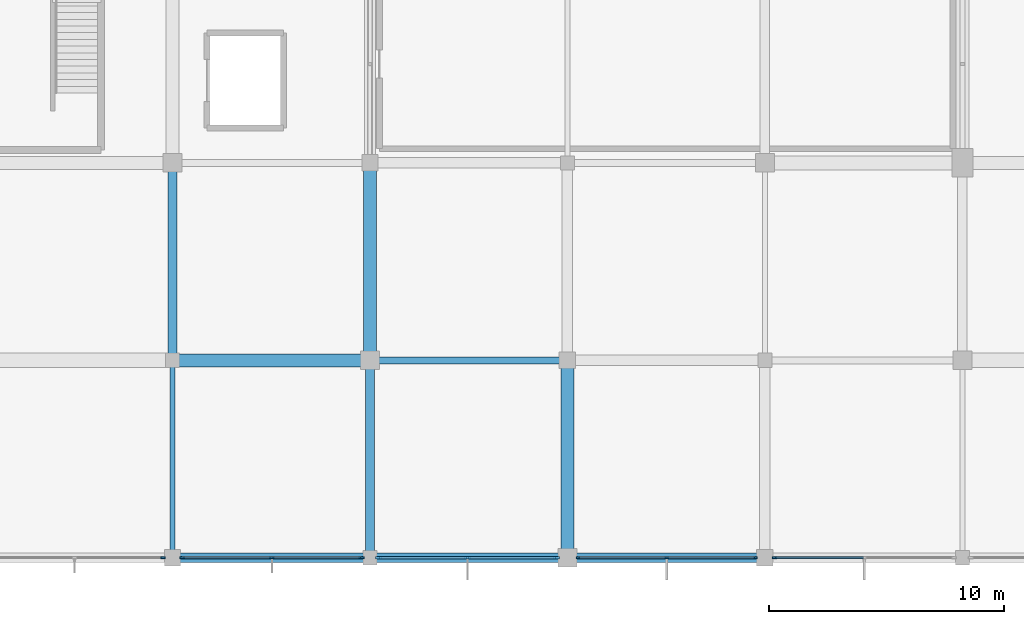
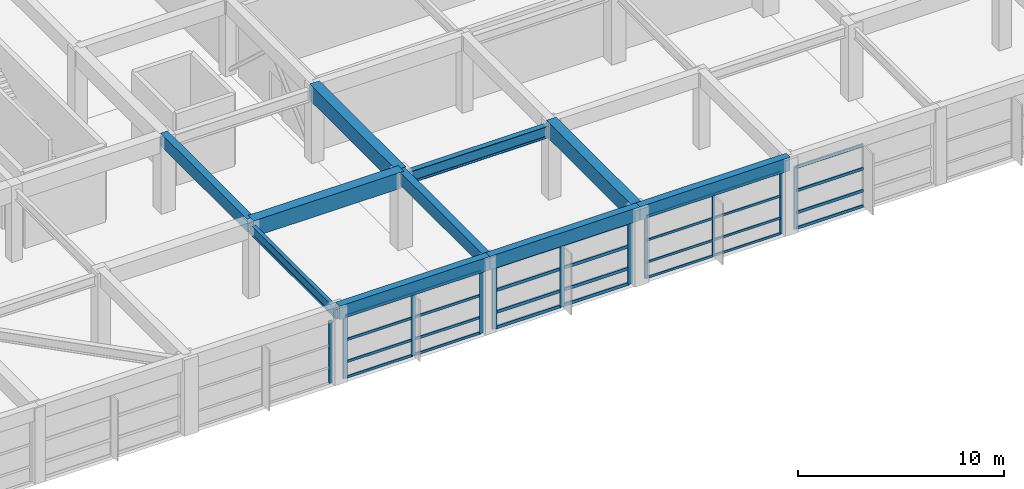
# One storey, part 13 of 62: 39 members, 10 beams, 5 elements without a shape of their own.
"""IFC4 building model written with IfcOpenShell, lengths in metres."""

from ifc_helpers import new_model, si_unit, direction, frame, origin, origin_2d, place, context, subcontext, project, spatial, rectangle, i_section, extrude, material, material_profile, profile_set, type_object, element, aggregate, save


model = new_model("IFC4")

# Units and contexts
model_context = context("Model", 3, precision=1e-05, world=origin(), true_north=direction((0.0, 1.0)))
body_context = subcontext(model_context, "Body", "Model", "MODEL_VIEW")
ifc_project = project(units=[si_unit("LENGTHUNIT", "METRE"), si_unit("AREAUNIT", "SQUARE_METRE"), si_unit("VOLUMEUNIT", "CUBIC_METRE"), si_unit("PLANEANGLEUNIT", "RADIAN"), si_unit("MASSUNIT", "GRAM", prefix="KILO")], contexts=[model_context])

# Site, building, storey
site_placement = place(None, origin())
site = spatial("IfcSite", under=ifc_project, at=site_placement, CompositionType="ELEMENT")
building_placement = place(site_placement, origin())
building = spatial("IfcBuilding", under=site, at=building_placement, Name="Xuanlan Plaza Opera House", CompositionType="ELEMENT")
storey_placement = place(building_placement, frame((0.0, 0.0, 14.39990234375)))
storey = spatial("IfcBuildingStorey", under=building, at=storey_placement, Name="L03", CompositionType="ELEMENT", Elevation=14.39990234375)

# Curtain wall, members
ifc_material_1 = material(Name="Anodised Aluminium 6063-T6 and Low-E Glass", Category="aluminium")
curtain_wall_type_1 = type_object("IfcCurtainWallType", Name="ENV-CW-CW-03", PredefinedType="USERDEFINED", material=ifc_material_1)
curtain_wall_1_placement = place(storey_placement, origin())
curtain_wall_1 = element("IfcCurtainWall", 1, at=curtain_wall_1_placement, inside=storey, type_object=curtain_wall_type_1, Name="Unitised Curtain Wall L03-006", ObjectType="UNITISED CURTAIN WALL", PredefinedType="USERDEFINED")
ifc_material_2 = material(Name="Anodised Aluminium 6063-T6", Category="aluminium")
ifc_material_profile_1 = material_profile(ifc_material_2, rectangle(XDim=0.06494140625, YDim=0.159912109375, at=origin_2d()), Name="ALU-M 65x160")
ifc_profile_set_1 = profile_set([ifc_material_profile_1], Name="Anodised Aluminium 6063-T6")
member_type_1 = type_object("IfcMemberType", Name="ENV-CWM-01", PredefinedType="MULLION", material=ifc_profile_set_1)
member_1_placement = place(storey_placement, frame((50.8525390625, 16.800048828125, 0.0), z_axis=(0.0, 0.0, 1.0), x_axis=(0.0, 1.0, 0.0)))
member_1 = element("IfcMember", 2, at=member_1_placement, type_object=member_type_1, Name="CW-03 mullion 1", PredefinedType="MULLION", context=body_context, shape_type="SweptSolid", body=[
    extrude(rectangle(XDim=0.06494140625, YDim=0.159912109375, at=origin_2d()), origin(), (0.0, 0.0, 1.0), 3.68017578125),
])
member_2_placement = place(storey_placement, frame((54.625, 16.800048828125, 0.0), z_axis=(0.0, 0.0, 1.0), x_axis=(0.0, 1.0, 0.0)))
member_2 = element("IfcMember", 3, at=member_2_placement, type_object=member_type_1, Name="CW-03 mullion 2", PredefinedType="MULLION", context=body_context, shape_type="SweptSolid", body=[
    extrude(rectangle(XDim=0.06494140625, YDim=0.159912109375, at=origin_2d()), origin(), (0.0, 0.0, 1.0), 3.68017578125),
])
member_3_placement = place(storey_placement, frame((58.3974609375, 16.800048828125, 0.0), z_axis=(0.0, 0.0, 1.0), x_axis=(0.0, 1.0, 0.0)))
member_3 = element("IfcMember", 4, at=member_3_placement, type_object=member_type_1, Name="CW-03 mullion 3", PredefinedType="MULLION", context=body_context, shape_type="SweptSolid", body=[
    extrude(rectangle(XDim=0.06494140625, YDim=0.159912109375, at=origin_2d()), origin(), (0.0, 0.0, 1.0), 3.68017578125),
])

# Curtain wall, member
curtain_wall_type_2 = type_object("IfcCurtainWallType", Name="ENV-CW-CW-06", PredefinedType="USERDEFINED", material=ifc_material_1)
curtain_wall_2_placement = place(storey_placement, origin())
curtain_wall_2 = element("IfcCurtainWall", 5, at=curtain_wall_2_placement, inside=storey, type_object=curtain_wall_type_2, Name="Acoustic Glazed Wall L03-007", ObjectType="ACOUSTIC GLAZED WALL", PredefinedType="USERDEFINED")
ifc_material_profile_2 = material_profile(ifc_material_2, rectangle(XDim=0.070068359375, YDim=0.179931640625, at=origin_2d()), Name="ALU-M 70x180")
ifc_profile_set_2 = profile_set([ifc_material_profile_2], Name="Anodised Aluminium 6063-T6")
member_type_2 = type_object("IfcMemberType", Name="ENV-CWM-02", PredefinedType="MULLION", material=ifc_profile_set_2)
member_4_placement = place(storey_placement, frame((59.205078125, 16.800048828125, 0.0), z_axis=(0.0, 0.0, 1.0), x_axis=(0.0, 1.0, 0.0)))
member_4 = element("IfcMember", 6, at=member_4_placement, type_object=member_type_2, Name="CW-06 mullion 1", PredefinedType="MULLION", context=body_context, shape_type="SweptSolid", body=[
    extrude(rectangle(XDim=0.070068359375, YDim=0.179931640625, at=origin_2d()), origin(), (0.0, 0.0, 1.0), 3.68017578125),
])

curtain_wall_type_3 = type_object("IfcCurtainWallType", Name="ENV-CW-CW-04", PredefinedType="USERDEFINED", material=ifc_material_1)
curtain_wall_3_placement = place(storey_placement, origin())
curtain_wall_3 = element("IfcCurtainWall", 7, at=curtain_wall_3_placement, inside=storey, type_object=curtain_wall_type_3, Name="Unitised Curtain Wall L03-003", ObjectType="UNITISED CURTAIN WALL", PredefinedType="USERDEFINED")
ifc_material_profile_3 = material_profile(ifc_material_2, rectangle(XDim=0.074951171875, YDim=0.199951171875, at=origin_2d()), Name="ALU-M 75x200")
ifc_profile_set_3 = profile_set([ifc_material_profile_3], Name="Anodised Aluminium 6063-T6")
member_type_3 = type_object("IfcMemberType", Name="ENV-CWM-03", PredefinedType="MULLION", material=ifc_profile_set_3)
member_5_placement = place(storey_placement, frame((33.1923828125, 16.800048828125, 0.0), z_axis=(0.0, 0.0, 1.0), x_axis=(0.0, 1.0, 0.0)))
member_5 = element("IfcMember", 8, at=member_5_placement, type_object=member_type_3, Name="CW-04 mullion 3", PredefinedType="MULLION", context=body_context, shape_type="SweptSolid", body=[
    extrude(rectangle(XDim=0.074951171875, YDim=0.199951171875, at=origin_2d()), origin(), (0.0, 0.0, 1.0), 3.68017578125),
])
aggregate(curtain_wall_3, [member_5])

# Curtain wall, members
curtain_wall_type_4 = type_object("IfcCurtainWallType", Name="ENV-CW-CW-01", PredefinedType="USERDEFINED", material=ifc_material_1)
curtain_wall_4_placement = place(storey_placement, origin())
curtain_wall_4 = element("IfcCurtainWall", 9, at=curtain_wall_4_placement, inside=storey, type_object=curtain_wall_type_4, Name="Unitised Curtain Wall L03-004", ObjectType="UNITISED CURTAIN WALL", PredefinedType="USERDEFINED")
ifc_material_profile_4 = material_profile(ifc_material_2, rectangle(XDim=0.080078125, YDim=0.219970703125, at=origin_2d()), Name="ALU-M 80x220")
ifc_profile_set_4 = profile_set([ifc_material_profile_4], Name="Anodised Aluminium 6063-T6")
member_type_4 = type_object("IfcMemberType", Name="ENV-CWM-04", PredefinedType="MULLION", material=ifc_profile_set_4)
member_6_placement = place(storey_placement, frame((34.010009765625, 16.800048828125, 0.0), z_axis=(0.0, 0.0, 1.0), x_axis=(0.0, 1.0, 0.0)))
member_6 = element("IfcMember", 10, at=member_6_placement, type_object=member_type_4, Name="CW-01 mullion 1", PredefinedType="MULLION", context=body_context, shape_type="SweptSolid", body=[
    extrude(rectangle(XDim=0.080078125, YDim=0.219970703125, at=origin_2d()), origin(), (0.0, 0.0, 1.0), 3.68017578125),
])
member_7_placement = place(storey_placement, frame((37.824951171875, 16.800048828125, 0.0), z_axis=(0.0, 0.0, 1.0), x_axis=(0.0, 1.0, 0.0)))
member_7 = element("IfcMember", 11, at=member_7_placement, type_object=member_type_4, Name="CW-01 mullion 2", PredefinedType="MULLION", context=body_context, shape_type="SweptSolid", body=[
    extrude(rectangle(XDim=0.080078125, YDim=0.219970703125, at=origin_2d()), origin(), (0.0, 0.0, 1.0), 3.68017578125),
])
member_8_placement = place(storey_placement, frame((41.639892578125, 16.800048828125, 0.0), z_axis=(0.0, 0.0, 1.0), x_axis=(0.0, 1.0, 0.0)))
member_8 = element("IfcMember", 12, at=member_8_placement, type_object=member_type_4, Name="CW-01 mullion 3", PredefinedType="MULLION", context=body_context, shape_type="SweptSolid", body=[
    extrude(rectangle(XDim=0.080078125, YDim=0.219970703125, at=origin_2d()), origin(), (0.0, 0.0, 1.0), 3.68017578125),
])

curtain_wall_type_5 = type_object("IfcCurtainWallType", Name="ENV-CW-CW-02", PredefinedType="USERDEFINED", material=ifc_material_1)
curtain_wall_5_placement = place(storey_placement, origin())
curtain_wall_5 = element("IfcCurtainWall", 13, at=curtain_wall_5_placement, inside=storey, type_object=curtain_wall_type_5, Name="Unitised Curtain Wall L03-005", ObjectType="UNITISED CURTAIN WALL", PredefinedType="USERDEFINED")
ifc_material_profile_5 = material_profile(ifc_material_2, rectangle(XDim=0.090087890625, YDim=0.25, at=origin_2d()), Name="ALU-M 90x250")
ifc_profile_set_5 = profile_set([ifc_material_profile_5], Name="Anodised Aluminium 6063-T6")
member_type_5 = type_object("IfcMemberType", Name="ENV-CWM-05", PredefinedType="MULLION", material=ifc_profile_set_5)
member_9_placement = place(storey_placement, frame((42.364990234375, 16.800048828125, 0.0), z_axis=(0.0, 0.0, 1.0), x_axis=(0.0, 1.0, 0.0)))
member_9 = element("IfcMember", 14, at=member_9_placement, type_object=member_type_5, Name="CW-02 mullion 1", PredefinedType="MULLION", context=body_context, shape_type="SweptSolid", body=[
    extrude(rectangle(XDim=0.090087890625, YDim=0.25, at=origin_2d()), origin(), (0.0, 0.0, 1.0), 3.68017578125),
])
member_10_placement = place(storey_placement, frame((46.14990234375, 16.800048828125, 0.0), z_axis=(0.0, 0.0, 1.0), x_axis=(0.0, 1.0, 0.0)))
member_10 = element("IfcMember", 15, at=member_10_placement, type_object=member_type_5, Name="CW-02 mullion 2", PredefinedType="MULLION", context=body_context, shape_type="SweptSolid", body=[
    extrude(rectangle(XDim=0.090087890625, YDim=0.25, at=origin_2d()), origin(), (0.0, 0.0, 1.0), 3.68017578125),
])
member_11_placement = place(storey_placement, frame((49.93505859375, 16.800048828125, 0.0), z_axis=(0.0, 0.0, 1.0), x_axis=(0.0, 1.0, 0.0)))
member_11 = element("IfcMember", 16, at=member_11_placement, type_object=member_type_5, Name="CW-02 mullion 3", PredefinedType="MULLION", context=body_context, shape_type="SweptSolid", body=[
    extrude(rectangle(XDim=0.090087890625, YDim=0.25, at=origin_2d()), origin(), (0.0, 0.0, 1.0), 3.68017578125),
])

# Member
ifc_material_profile_6 = material_profile(ifc_material_2, rectangle(XDim=0.070068359375, YDim=0.135009765625, at=origin_2d()), Name="ALU-T 70x135")
ifc_profile_set_6 = profile_set([ifc_material_profile_6], Name="Anodised Aluminium 6063-T6")
member_type_6 = type_object("IfcMemberType", Name="ENV-CWT-02", PredefinedType="USERDEFINED", material=ifc_profile_set_6)
member_12_placement = place(storey_placement, frame((50.885009765625, 16.800048828125, 0.03515625), z_axis=(1.0, 0.0, 0.0), x_axis=(0.0, 1.0, 0.0)))
member_12 = element("IfcMember", 17, at=member_12_placement, type_object=member_type_6, Name="CW-03 transom 1.1", ObjectType="TRANSOM", PredefinedType="USERDEFINED", context=body_context, shape_type="SweptSolid", body=[
    extrude(rectangle(XDim=0.070068359375, YDim=0.135009765625, at=origin_2d()), origin(), (0.0, 0.0, 1.0), 3.70751953125),
])

member_13_placement = place(storey_placement, frame((50.885009765625, 16.800048828125, 0.9501953125), z_axis=(1.0, 0.0, 0.0), x_axis=(0.0, 1.0, 0.0)))
member_13 = element("IfcMember", 18, at=member_13_placement, type_object=member_type_6, Name="CW-03 transom 1.2", ObjectType="TRANSOM", PredefinedType="USERDEFINED", context=body_context, shape_type="SweptSolid", body=[
    extrude(rectangle(XDim=0.070068359375, YDim=0.135009765625, at=origin_2d()), origin(), (0.0, 0.0, 1.0), 3.70751953125),
])

member_14_placement = place(storey_placement, frame((50.885009765625, 16.800048828125, 2.25), z_axis=(1.0, 0.0, 0.0), x_axis=(0.0, 1.0, 0.0)))
member_14 = element("IfcMember", 19, at=member_14_placement, type_object=member_type_6, Name="CW-03 transom 1.3", ObjectType="TRANSOM", PredefinedType="USERDEFINED", context=body_context, shape_type="SweptSolid", body=[
    extrude(rectangle(XDim=0.070068359375, YDim=0.135009765625, at=origin_2d()), origin(), (0.0, 0.0, 1.0), 3.70751953125),
])

member_15_placement = place(storey_placement, frame((50.885009765625, 16.800048828125, 3.64501953125), z_axis=(1.0, 0.0, 0.0), x_axis=(0.0, 1.0, 0.0)))
member_15 = element("IfcMember", 20, at=member_15_placement, type_object=member_type_6, Name="CW-03 transom 1.4", ObjectType="TRANSOM", PredefinedType="USERDEFINED", context=body_context, shape_type="SweptSolid", body=[
    extrude(rectangle(XDim=0.070068359375, YDim=0.135009765625, at=origin_2d()), origin(), (0.0, 0.0, 1.0), 3.70751953125),
])

member_16_placement = place(storey_placement, frame((54.657470703125, 16.800048828125, 0.03515625), z_axis=(1.0, 0.0, 0.0), x_axis=(0.0, 1.0, 0.0)))
member_16 = element("IfcMember", 21, at=member_16_placement, type_object=member_type_6, Name="CW-03 transom 2.1", ObjectType="TRANSOM", PredefinedType="USERDEFINED", context=body_context, shape_type="SweptSolid", body=[
    extrude(rectangle(XDim=0.070068359375, YDim=0.135009765625, at=origin_2d()), origin(), (0.0, 0.0, 1.0), 3.70751953125),
])

member_17_placement = place(storey_placement, frame((54.657470703125, 16.800048828125, 0.9501953125), z_axis=(1.0, 0.0, 0.0), x_axis=(0.0, 1.0, 0.0)))
member_17 = element("IfcMember", 22, at=member_17_placement, type_object=member_type_6, Name="CW-03 transom 2.2", ObjectType="TRANSOM", PredefinedType="USERDEFINED", context=body_context, shape_type="SweptSolid", body=[
    extrude(rectangle(XDim=0.070068359375, YDim=0.135009765625, at=origin_2d()), origin(), (0.0, 0.0, 1.0), 3.70751953125),
])

member_18_placement = place(storey_placement, frame((54.657470703125, 16.800048828125, 2.25), z_axis=(1.0, 0.0, 0.0), x_axis=(0.0, 1.0, 0.0)))
member_18 = element("IfcMember", 23, at=member_18_placement, type_object=member_type_6, Name="CW-03 transom 2.3", ObjectType="TRANSOM", PredefinedType="USERDEFINED", context=body_context, shape_type="SweptSolid", body=[
    extrude(rectangle(XDim=0.070068359375, YDim=0.135009765625, at=origin_2d()), origin(), (0.0, 0.0, 1.0), 3.70751953125),
])

member_19_placement = place(storey_placement, frame((54.657470703125, 16.800048828125, 3.64501953125), z_axis=(1.0, 0.0, 0.0), x_axis=(0.0, 1.0, 0.0)))
member_19 = element("IfcMember", 24, at=member_19_placement, type_object=member_type_6, Name="CW-03 transom 2.4", ObjectType="TRANSOM", PredefinedType="USERDEFINED", context=body_context, shape_type="SweptSolid", body=[
    extrude(rectangle(XDim=0.070068359375, YDim=0.135009765625, at=origin_2d()), origin(), (0.0, 0.0, 1.0), 3.70751953125),
])

aggregate(curtain_wall_1, [member_1, member_2, member_3, member_12, member_13, member_14, member_15, member_16, member_17, member_18, member_19])

ifc_material_profile_7 = material_profile(ifc_material_2, rectangle(XDim=0.074951171875, YDim=0.14990234375, at=origin_2d()), Name="ALU-T 75x150")
ifc_profile_set_7 = profile_set([ifc_material_profile_7], Name="Anodised Aluminium 6063-T6")
member_type_7 = type_object("IfcMemberType", Name="ENV-CWT-03", PredefinedType="USERDEFINED", material=ifc_profile_set_7)
member_20_placement = place(storey_placement, frame((34.050048828125, 16.800048828125, 0.03759765625), z_axis=(1.0, 0.0, 0.0), x_axis=(0.0, 1.0, 0.0)))
member_20 = element("IfcMember", 25, at=member_20_placement, type_object=member_type_7, Name="CW-01 transom 1.1", ObjectType="TRANSOM", PredefinedType="USERDEFINED", context=body_context, shape_type="SweptSolid", body=[
    extrude(rectangle(XDim=0.074951171875, YDim=0.14990234375, at=origin_2d()), origin(), (0.0, 0.0, 1.0), 3.73486328125),
])

member_21_placement = place(storey_placement, frame((34.050048828125, 16.800048828125, 0.9501953125), z_axis=(1.0, 0.0, 0.0), x_axis=(0.0, 1.0, 0.0)))
member_21 = element("IfcMember", 26, at=member_21_placement, type_object=member_type_7, Name="CW-01 transom 1.2", ObjectType="TRANSOM", PredefinedType="USERDEFINED", context=body_context, shape_type="SweptSolid", body=[
    extrude(rectangle(XDim=0.074951171875, YDim=0.14990234375, at=origin_2d()), origin(), (0.0, 0.0, 1.0), 3.73486328125),
])

member_22_placement = place(storey_placement, frame((34.050048828125, 16.800048828125, 2.25), z_axis=(1.0, 0.0, 0.0), x_axis=(0.0, 1.0, 0.0)))
member_22 = element("IfcMember", 27, at=member_22_placement, type_object=member_type_7, Name="CW-01 transom 1.3", ObjectType="TRANSOM", PredefinedType="USERDEFINED", context=body_context, shape_type="SweptSolid", body=[
    extrude(rectangle(XDim=0.074951171875, YDim=0.14990234375, at=origin_2d()), origin(), (0.0, 0.0, 1.0), 3.73486328125),
])

member_23_placement = place(storey_placement, frame((34.050048828125, 16.800048828125, 3.642578125), z_axis=(1.0, 0.0, 0.0), x_axis=(0.0, 1.0, 0.0)))
member_23 = element("IfcMember", 28, at=member_23_placement, type_object=member_type_7, Name="CW-01 transom 1.4", ObjectType="TRANSOM", PredefinedType="USERDEFINED", context=body_context, shape_type="SweptSolid", body=[
    extrude(rectangle(XDim=0.074951171875, YDim=0.14990234375, at=origin_2d()), origin(), (0.0, 0.0, 1.0), 3.73486328125),
])

member_24_placement = place(storey_placement, frame((37.864990234375, 16.800048828125, 0.03759765625), z_axis=(1.0, 0.0, 0.0), x_axis=(0.0, 1.0, 0.0)))
member_24 = element("IfcMember", 29, at=member_24_placement, type_object=member_type_7, Name="CW-01 transom 2.1", ObjectType="TRANSOM", PredefinedType="USERDEFINED", context=body_context, shape_type="SweptSolid", body=[
    extrude(rectangle(XDim=0.074951171875, YDim=0.14990234375, at=origin_2d()), origin(), (0.0, 0.0, 1.0), 3.735107421875),
])

member_25_placement = place(storey_placement, frame((37.864990234375, 16.800048828125, 0.9501953125), z_axis=(1.0, 0.0, 0.0), x_axis=(0.0, 1.0, 0.0)))
member_25 = element("IfcMember", 30, at=member_25_placement, type_object=member_type_7, Name="CW-01 transom 2.2", ObjectType="TRANSOM", PredefinedType="USERDEFINED", context=body_context, shape_type="SweptSolid", body=[
    extrude(rectangle(XDim=0.074951171875, YDim=0.14990234375, at=origin_2d()), origin(), (0.0, 0.0, 1.0), 3.735107421875),
])

member_26_placement = place(storey_placement, frame((37.864990234375, 16.800048828125, 2.25), z_axis=(1.0, 0.0, 0.0), x_axis=(0.0, 1.0, 0.0)))
member_26 = element("IfcMember", 31, at=member_26_placement, type_object=member_type_7, Name="CW-01 transom 2.3", ObjectType="TRANSOM", PredefinedType="USERDEFINED", context=body_context, shape_type="SweptSolid", body=[
    extrude(rectangle(XDim=0.074951171875, YDim=0.14990234375, at=origin_2d()), origin(), (0.0, 0.0, 1.0), 3.735107421875),
])

member_27_placement = place(storey_placement, frame((37.864990234375, 16.800048828125, 3.642578125), z_axis=(1.0, 0.0, 0.0), x_axis=(0.0, 1.0, 0.0)))
member_27 = element("IfcMember", 32, at=member_27_placement, type_object=member_type_7, Name="CW-01 transom 2.4", ObjectType="TRANSOM", PredefinedType="USERDEFINED", context=body_context, shape_type="SweptSolid", body=[
    extrude(rectangle(XDim=0.074951171875, YDim=0.14990234375, at=origin_2d()), origin(), (0.0, 0.0, 1.0), 3.735107421875),
])

aggregate(curtain_wall_4, [member_6, member_7, member_8, member_20, member_21, member_22, member_23, member_24, member_25, member_26, member_27])

ifc_material_profile_8 = material_profile(ifc_material_2, rectangle(XDim=0.080078125, YDim=0.1650390625, at=origin_2d()), Name="ALU-T 80x165")
ifc_profile_set_8 = profile_set([ifc_material_profile_8], Name="Anodised Aluminium 6063-T6")
member_type_8 = type_object("IfcMemberType", Name="ENV-CWT-04", PredefinedType="USERDEFINED", material=ifc_profile_set_8)
member_28_placement = place(storey_placement, frame((59.239990234375, 16.800048828125, 0.0400390625), z_axis=(1.0, 0.0, 0.0), x_axis=(0.0, 1.0, 0.0)))
member_28 = element("IfcMember", 33, at=member_28_placement, type_object=member_type_8, Name="CW-06 transom 1.1", ObjectType="TRANSOM", PredefinedType="USERDEFINED", context=body_context, shape_type="SweptSolid", body=[
    extrude(rectangle(XDim=0.080078125, YDim=0.1650390625, at=origin_2d()), origin(), (0.0, 0.0, 1.0), 3.75),
])

member_29_placement = place(storey_placement, frame((59.239990234375, 16.800048828125, 0.9501953125), z_axis=(1.0, 0.0, 0.0), x_axis=(0.0, 1.0, 0.0)))
member_29 = element("IfcMember", 34, at=member_29_placement, type_object=member_type_8, Name="CW-06 transom 1.2", ObjectType="TRANSOM", PredefinedType="USERDEFINED", context=body_context, shape_type="SweptSolid", body=[
    extrude(rectangle(XDim=0.080078125, YDim=0.1650390625, at=origin_2d()), origin(), (0.0, 0.0, 1.0), 3.75),
])

member_30_placement = place(storey_placement, frame((59.239990234375, 16.800048828125, 2.25), z_axis=(1.0, 0.0, 0.0), x_axis=(0.0, 1.0, 0.0)))
member_30 = element("IfcMember", 35, at=member_30_placement, type_object=member_type_8, Name="CW-06 transom 1.3", ObjectType="TRANSOM", PredefinedType="USERDEFINED", context=body_context, shape_type="SweptSolid", body=[
    extrude(rectangle(XDim=0.080078125, YDim=0.1650390625, at=origin_2d()), origin(), (0.0, 0.0, 1.0), 3.75),
])

member_31_placement = place(storey_placement, frame((59.239990234375, 16.800048828125, 3.64013671875), z_axis=(1.0, 0.0, 0.0), x_axis=(0.0, 1.0, 0.0)))
member_31 = element("IfcMember", 36, at=member_31_placement, type_object=member_type_8, Name="CW-06 transom 1.4", ObjectType="TRANSOM", PredefinedType="USERDEFINED", context=body_context, shape_type="SweptSolid", body=[
    extrude(rectangle(XDim=0.080078125, YDim=0.1650390625, at=origin_2d()), origin(), (0.0, 0.0, 1.0), 3.75),
])

aggregate(curtain_wall_2, [member_4, member_28, member_29, member_30, member_31])

ifc_material_profile_9 = material_profile(ifc_material_2, rectangle(XDim=0.090087890625, YDim=0.179931640625, at=origin_2d()), Name="ALU-T 90x180")
ifc_profile_set_9 = profile_set([ifc_material_profile_9], Name="Anodised Aluminium 6063-T6")
member_type_9 = type_object("IfcMemberType", Name="ENV-CWT-05", PredefinedType="USERDEFINED", material=ifc_profile_set_9)
member_32_placement = place(storey_placement, frame((42.409912109375, 16.800048828125, 0.045166015625), z_axis=(1.0, 0.0, 0.0), x_axis=(0.0, 1.0, 0.0)))
member_32 = element("IfcMember", 37, at=member_32_placement, type_object=member_type_9, Name="CW-02 transom 1.1", ObjectType="TRANSOM", PredefinedType="USERDEFINED", context=body_context, shape_type="SweptSolid", body=[
    extrude(rectangle(XDim=0.090087890625, YDim=0.179931640625, at=origin_2d()), origin(), (0.0, 0.0, 1.0), 3.695068359375),
])

member_33_placement = place(storey_placement, frame((42.409912109375, 16.800048828125, 0.9501953125), z_axis=(1.0, 0.0, 0.0), x_axis=(0.0, 1.0, 0.0)))
member_33 = element("IfcMember", 38, at=member_33_placement, type_object=member_type_9, Name="CW-02 transom 1.2", ObjectType="TRANSOM", PredefinedType="USERDEFINED", context=body_context, shape_type="SweptSolid", body=[
    extrude(rectangle(XDim=0.090087890625, YDim=0.179931640625, at=origin_2d()), origin(), (0.0, 0.0, 1.0), 3.695068359375),
])

member_34_placement = place(storey_placement, frame((42.409912109375, 16.800048828125, 2.25), z_axis=(1.0, 0.0, 0.0), x_axis=(0.0, 1.0, 0.0)))
member_34 = element("IfcMember", 39, at=member_34_placement, type_object=member_type_9, Name="CW-02 transom 1.3", ObjectType="TRANSOM", PredefinedType="USERDEFINED", context=body_context, shape_type="SweptSolid", body=[
    extrude(rectangle(XDim=0.090087890625, YDim=0.179931640625, at=origin_2d()), origin(), (0.0, 0.0, 1.0), 3.695068359375),
])

member_35_placement = place(storey_placement, frame((42.409912109375, 16.800048828125, 3.635009765625), z_axis=(1.0, 0.0, 0.0), x_axis=(0.0, 1.0, 0.0)))
member_35 = element("IfcMember", 40, at=member_35_placement, type_object=member_type_9, Name="CW-02 transom 1.4", ObjectType="TRANSOM", PredefinedType="USERDEFINED", context=body_context, shape_type="SweptSolid", body=[
    extrude(rectangle(XDim=0.090087890625, YDim=0.179931640625, at=origin_2d()), origin(), (0.0, 0.0, 1.0), 3.695068359375),
])

member_36_placement = place(storey_placement, frame((46.195068359375, 16.800048828125, 0.045166015625), z_axis=(1.0, 0.0, 0.0), x_axis=(0.0, 1.0, 0.0)))
member_36 = element("IfcMember", 41, at=member_36_placement, type_object=member_type_9, Name="CW-02 transom 2.1", ObjectType="TRANSOM", PredefinedType="USERDEFINED", context=body_context, shape_type="SweptSolid", body=[
    extrude(rectangle(XDim=0.090087890625, YDim=0.179931640625, at=origin_2d()), origin(), (0.0, 0.0, 1.0), 3.69482421875),
])

member_37_placement = place(storey_placement, frame((46.195068359375, 16.800048828125, 0.9501953125), z_axis=(1.0, 0.0, 0.0), x_axis=(0.0, 1.0, 0.0)))
member_37 = element("IfcMember", 42, at=member_37_placement, type_object=member_type_9, Name="CW-02 transom 2.2", ObjectType="TRANSOM", PredefinedType="USERDEFINED", context=body_context, shape_type="SweptSolid", body=[
    extrude(rectangle(XDim=0.090087890625, YDim=0.179931640625, at=origin_2d()), origin(), (0.0, 0.0, 1.0), 3.69482421875),
])

member_38_placement = place(storey_placement, frame((46.195068359375, 16.800048828125, 2.25), z_axis=(1.0, 0.0, 0.0), x_axis=(0.0, 1.0, 0.0)))
member_38 = element("IfcMember", 43, at=member_38_placement, type_object=member_type_9, Name="CW-02 transom 2.3", ObjectType="TRANSOM", PredefinedType="USERDEFINED", context=body_context, shape_type="SweptSolid", body=[
    extrude(rectangle(XDim=0.090087890625, YDim=0.179931640625, at=origin_2d()), origin(), (0.0, 0.0, 1.0), 3.69482421875),
])

member_39_placement = place(storey_placement, frame((46.195068359375, 16.800048828125, 3.635009765625), z_axis=(1.0, 0.0, 0.0), x_axis=(0.0, 1.0, 0.0)))
member_39 = element("IfcMember", 44, at=member_39_placement, type_object=member_type_9, Name="CW-02 transom 2.4", ObjectType="TRANSOM", PredefinedType="USERDEFINED", context=body_context, shape_type="SweptSolid", body=[
    extrude(rectangle(XDim=0.090087890625, YDim=0.179931640625, at=origin_2d()), origin(), (0.0, 0.0, 1.0), 3.69482421875),
])

aggregate(curtain_wall_5, [member_9, member_10, member_11, member_32, member_33, member_34, member_35, member_36, member_37, member_38, member_39])

# Beams
ifc_material_3 = material(Name="Concrete C50", Category="concrete")
ifc_material_profile_10 = material_profile(ifc_material_3, rectangle(XDim=0.550048828125, YDim=0.949951171875, at=origin_2d()), Name="RC-BM 550x950")
ifc_profile_set_10 = profile_set([ifc_material_profile_10], Name="Concrete C50")
beam_type_1 = type_object("IfcBeamType", Name="STR-BM-B-02", PredefinedType="BEAM", material=ifc_profile_set_10)
beam_1_placement = place(storey_placement, frame((33.60009765625, 25.199951171875, 4.025146484375), z_axis=(1.0, 0.0, 0.0), x_axis=(0.0, 1.0, 0.0)))
element("IfcBeam", 45, at=beam_1_placement, inside=storey, type_object=beam_type_1, Name="Grid Beam X L03 5-6/D", PredefinedType="BEAM", context=body_context, shape_type="SweptSolid", body=[
    extrude(rectangle(XDim=0.550048828125, YDim=0.949951171875, at=origin_2d()), origin(), (0.0, 0.0, 1.0), 8.39990234375),
])
beam_2_placement = place(storey_placement, frame((42.0, 25.199951171875, 4.025146484375), z_axis=(0.0, 1.0, 0.0), x_axis=(-1.0, 0.0, 0.0)))
element("IfcBeam", 46, at=beam_2_placement, inside=storey, type_object=beam_type_1, Name="Grid Beam Y L03 6/D-E", PredefinedType="BEAM", context=body_context, shape_type="SweptSolid", body=[
    extrude(rectangle(XDim=0.550048828125, YDim=0.949951171875, at=origin_2d()), origin(), (0.0, 0.0, 1.0), 8.400146484375),
])
beam_3_placement = place(storey_placement, frame((50.39990234375, 16.800048828125, 4.025146484375), z_axis=(0.0, 1.0, 0.0), x_axis=(-1.0, 0.0, 0.0)))
element("IfcBeam", 47, at=beam_3_placement, inside=storey, type_object=beam_type_1, Name="Grid Beam Y L03 7/C-D", PredefinedType="BEAM", context=body_context, shape_type="SweptSolid", body=[
    extrude(rectangle(XDim=0.550048828125, YDim=0.949951171875, at=origin_2d()), origin(), (0.0, 0.0, 1.0), 8.39990234375),
])
ifc_material_4 = material(Name="Concrete C40", Category="concrete")
ifc_material_profile_11 = material_profile(ifc_material_4, rectangle(XDim=0.39990234375, YDim=0.75, at=origin_2d()), Name="RC-BM 400x750")
ifc_profile_set_11 = profile_set([ifc_material_profile_11], Name="Concrete C40")
beam_type_2 = type_object("IfcBeamType", Name="STR-BM-B-06", PredefinedType="BEAM", material=ifc_profile_set_11)
beam_4_placement = place(storey_placement, frame((33.60009765625, 25.199951171875, 4.125), z_axis=(0.0, 1.0, 0.0), x_axis=(-1.0, 0.0, 0.0)))
element("IfcBeam", 48, at=beam_4_placement, inside=storey, type_object=beam_type_2, Name="Grid Beam Y L03 5/D-E", PredefinedType="BEAM", context=body_context, shape_type="SweptSolid", body=[
    extrude(rectangle(XDim=0.39990234375, YDim=0.75, at=origin_2d()), origin(), (0.0, 0.0, 1.0), 8.400146484375),
])
beam_5_placement = place(storey_placement, frame((42.0, 16.800048828125, 4.125), z_axis=(0.0, 1.0, 0.0), x_axis=(-1.0, 0.0, 0.0)))
element("IfcBeam", 49, at=beam_5_placement, inside=storey, type_object=beam_type_2, Name="Grid Beam Y L03 6/C-D", PredefinedType="BEAM", context=body_context, shape_type="SweptSolid", body=[
    extrude(rectangle(XDim=0.39990234375, YDim=0.75, at=origin_2d()), origin(), (0.0, 0.0, 1.0), 8.39990234375),
])
ifc_material_5 = material(Name="Steel Q355B", Category="steel")
ifc_material_profile_12 = material_profile(ifc_material_5, i_section(OverallWidth=0.300048828125, OverallDepth=0.699951171875, WebThickness=0.012939453125, FlangeThickness=0.02392578125, FilletRadius=0.02392578125, at=origin_2d()), Name="HN 700x300x13x24")
ifc_profile_set_12 = profile_set([ifc_material_profile_12], Name="Steel Q355B")
beam_type_3 = type_object("IfcBeamType", Name="STR-BM-SB-03", PredefinedType="BEAM", material=ifc_profile_set_12)
beam_6_placement = place(storey_placement, frame((42.0, 25.199951171875, 3.885009765625), z_axis=(1.0, 0.0, 0.0), x_axis=(0.0, 1.0, 0.0)))
element("IfcBeam", 50, at=beam_6_placement, inside=storey, type_object=beam_type_3, Name="Grid Beam X L03 6-7/D", PredefinedType="BEAM", context=body_context, shape_type="SweptSolid", body=[
    extrude(i_section(OverallWidth=0.300048828125, OverallDepth=0.699951171875, WebThickness=0.012939453125, FlangeThickness=0.02392578125, FilletRadius=0.02392578125, at=origin_2d()), origin(), (0.0, 0.0, 1.0), 8.39990234375),
])
ifc_material_profile_13 = material_profile(ifc_material_5, i_section(OverallWidth=0.199951171875, OverallDepth=0.60009765625, WebThickness=0.010986328125, FlangeThickness=0.01708984375, FilletRadius=0.02197265625, at=origin_2d()), Name="HN 600x200x11x17")
ifc_profile_set_13 = profile_set([ifc_material_profile_13], Name="Steel Q355B")
beam_type_4 = type_object("IfcBeamType", Name="STR-BM-SB-04", PredefinedType="BEAM", material=ifc_profile_set_13)
beam_7_placement = place(storey_placement, frame((33.60009765625, 16.800048828125, 3.93505859375), z_axis=(0.0, 1.0, 0.0), x_axis=(-1.0, 0.0, 0.0)))
element("IfcBeam", 51, at=beam_7_placement, inside=storey, type_object=beam_type_4, Name="Grid Beam Y L03 5/C-D", PredefinedType="BEAM", context=body_context, shape_type="SweptSolid", body=[
    extrude(i_section(OverallWidth=0.199951171875, OverallDepth=0.60009765625, WebThickness=0.010986328125, FlangeThickness=0.01708984375, FilletRadius=0.02197265625, at=origin_2d()), origin(), (0.0, 0.0, 1.0), 8.39990234375),
])
ifc_material_profile_14 = material_profile(ifc_material_4, rectangle(XDim=0.39990234375, YDim=0.800048828125, at=origin_2d()), Name="RC-SPD 400x800")
ifc_profile_set_14 = profile_set([ifc_material_profile_14], Name="Concrete C40")
beam_type_5 = type_object("IfcBeamType", Name="STR-BM-SP-01", PredefinedType="SPANDREL", material=ifc_profile_set_14)
for number, where, z_axis, x_axis, name in (
    (52, (33.60009765625, 16.800048828125, 4.10009765625), (1.0, 0.0, 0.0), (0.0, 1.0, 0.0), "Grid Beam X L03 5-6/C"),
    (53, (42.0, 16.800048828125, 4.10009765625), (1.0, 0.0, 0.0), (0.0, 1.0, 0.0), "Grid Beam X L03 6-7/C"),
):
    element("IfcBeam", number, at=place(storey_placement, frame(where, z_axis=z_axis, x_axis=x_axis)), inside=storey, type_object=beam_type_5, Name=name, PredefinedType="SPANDREL", context=body_context, shape_type="SweptSolid", body=[
        extrude(rectangle(XDim=0.39990234375, YDim=0.800048828125, at=origin_2d()), origin(), (0.0, 0.0, 1.0), 8.39990234375),
    ])
beam_8_placement = place(storey_placement, frame((50.39990234375, 16.800048828125, 4.10009765625), z_axis=(1.0, 0.0, 0.0), x_axis=(0.0, 1.0, 0.0)))
element("IfcBeam", 54, at=beam_8_placement, inside=storey, type_object=beam_type_5, Name="Grid Beam X L03 7-8/C", PredefinedType="SPANDREL", context=body_context, shape_type="SweptSolid", body=[
    extrude(rectangle(XDim=0.39990234375, YDim=0.800048828125, at=origin_2d()), origin(), (0.0, 0.0, 1.0), 8.400146484375),
])

save(model, "model.ifc")
